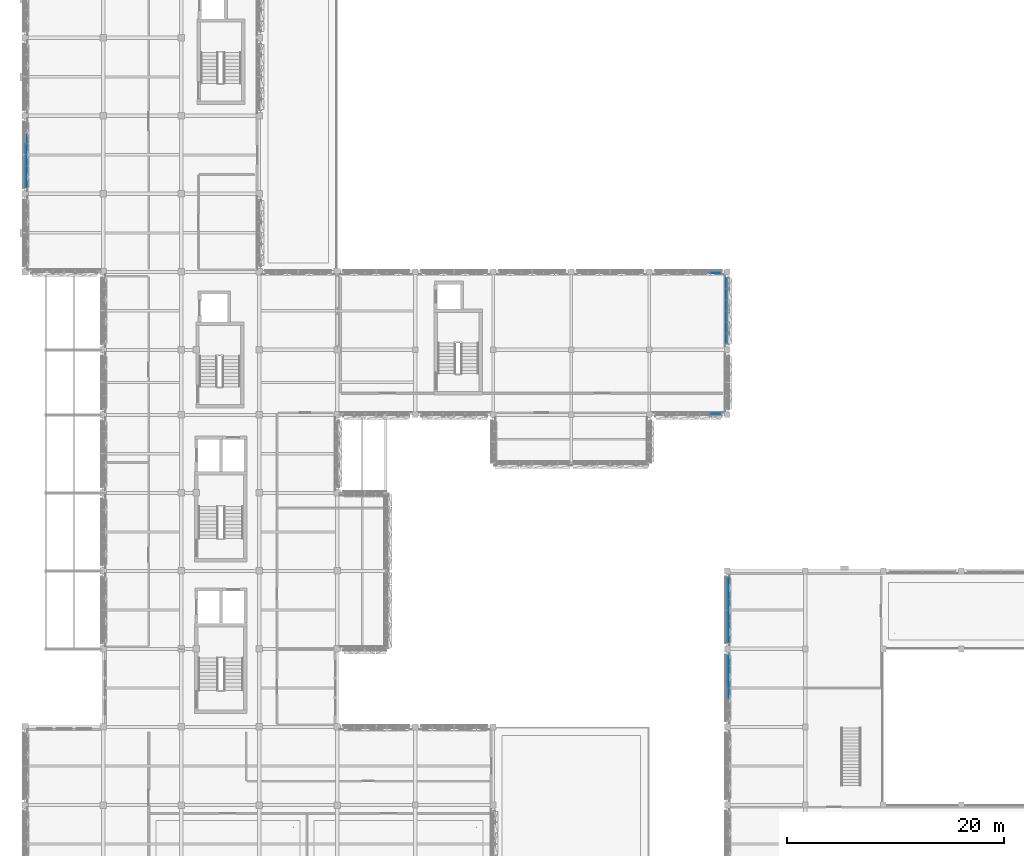
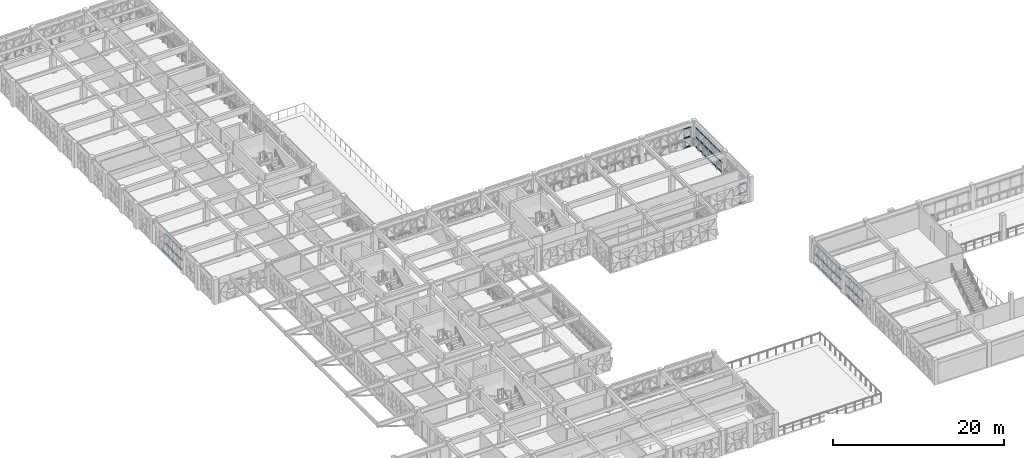
# One storey, part 27 of 99: 66 members, 6 elements without a shape of their own.
"""IFC4 building model written with IfcOpenShell, lengths in metres."""

import ifcopenshell
import ifcopenshell.guid

model = None  # the IFC model being written
_history = None  # IfcOwnerHistory: only IFC2X3 demands one
_inside = {}  # id of a spatial element -> (the spatial element, [elements in it])
_under = {}  # id of a project, library or spatial element -> (it, [spatial elements below it])
_declared = {}  # id of a project -> (the project, [libraries it declares])
_typed = {}  # id of a type object -> (the type object, [elements of that type])
_made_of = {}  # id of a material, layer set ... -> (it, [elements and type objects made of it])


def new_model(schema):
    """Start an empty IFC model of exactly this schema.

    Asked for "IFC4X3", IfcOpenShell would pick the latest addendum, in which some entities
    have other attributes; the version numbers below select the first issue.
    IFC2X3 requires an IfcOwnerHistory on every rooted entity: one is made here for all.
    """
    global model, _history
    if schema == "IFC4X3":
        model = ifcopenshell.file(schema_version=(4, 3, 0, 0))
    else:
        model = ifcopenshell.file(schema=schema)
    _inside.clear()
    _under.clear()
    _declared.clear()
    _typed.clear()
    _made_of.clear()
    _history = None
    if model.schema == "IFC2X3":
        org = make("IfcOrganization", Name="unknown")
        user = make(
            "IfcPersonAndOrganization",
            ThePerson=make("IfcPerson", FamilyName="unknown"),
            TheOrganization=org,
        )
        app = make(
            "IfcApplication",
            ApplicationDeveloper=org,
            Version="unknown",
            ApplicationFullName="unknown",
            ApplicationIdentifier="unknown",
        )
        _history = make(
            "IfcOwnerHistory",
            OwningUser=user,
            OwningApplication=app,
            ChangeAction="ADDED",
            CreationDate=0,
        )
    return model


def make(cls, **values):
    """One entity of the class cls with the attributes given. An attribute that is None is left unset."""
    return model.create_entity(
        cls, **{name: value for name, value in values.items() if value is not None}
    )


def rooted(cls, **values):
    """An entity with a GlobalId (a new one), such as an element, a storey or a relation."""
    return make(cls, GlobalId=ifcopenshell.guid.new(), OwnerHistory=_history, **values)


def si_unit(unit_type, name, prefix=None):
    """IfcSIUnit, for example si_unit("LENGTHUNIT", "METRE", prefix="MILLI")."""
    return make("IfcSIUnit", UnitType=unit_type, Prefix=prefix, Name=name)


def assignment(units):
    """IfcUnitAssignment: the units of a project."""
    return None if units is None else make("IfcUnitAssignment", Units=units)


def point(xyz):
    """IfcCartesianPoint."""
    return None if xyz is None else make("IfcCartesianPoint", Coordinates=xyz)


def direction(xyz):
    """IfcDirection."""
    return None if xyz is None else make("IfcDirection", DirectionRatios=xyz)


def frame(location, z_axis=None, x_axis=None):
    """IfcAxis2Placement3D, a coordinate frame: its origin and axes. An axis left out is left unset."""
    return make(
        "IfcAxis2Placement3D",
        Location=point(location),
        Axis=direction(z_axis),
        RefDirection=direction(x_axis),
    )


def frame_2d(location, x_axis=None):
    """IfcAxis2Placement2D, a coordinate frame in the plane: its origin and x axis."""
    return make(
        "IfcAxis2Placement2D", Location=point(location), RefDirection=direction(x_axis)
    )


def origin():
    """The frame at (0, 0, 0) with its axes left unset."""
    return frame((0.0, 0.0, 0.0))


def origin_2d():
    """The frame at (0, 0) in the plane with its x axis left unset."""
    return frame_2d((0.0, 0.0))


def place(relative_to, where):
    """IfcLocalPlacement: puts the frame where relative to a parent placement (None: the world)."""
    return make(
        "IfcLocalPlacement", PlacementRelTo=relative_to, RelativePlacement=where
    )


def context(
    kind, dimensions, precision=None, world=None, true_north=None, identifier=None
):
    """IfcGeometricRepresentationContext, for example the 3D "Model" context."""
    return make(
        "IfcGeometricRepresentationContext",
        ContextIdentifier=identifier,
        ContextType=kind,
        CoordinateSpaceDimension=dimensions,
        Precision=precision,
        WorldCoordinateSystem=world,
        TrueNorth=true_north,
    )


def subcontext(parent, identifier, kind, view, scale=None):
    """IfcGeometricRepresentationSubContext, for example "Body" below "Model"."""
    return make(
        "IfcGeometricRepresentationSubContext",
        ContextIdentifier=identifier,
        ContextType=kind,
        ParentContext=parent,
        TargetScale=scale,
        TargetView=view,
    )


def project(units=None, contexts=None):
    """IfcProject with its units and contexts."""
    return rooted(
        "IfcProject",
        Name="project",
        RepresentationContexts=contexts,
        UnitsInContext=assignment(units),
    )


def spatial(cls, under=None, at=None, **own):
    """A site, building, storey or space (cls), placed at a placement, below another one or the project."""
    s = rooted(cls, ObjectPlacement=at, **own)
    if under is not None:
        _under.setdefault(under.id(), (under, []))[1].append(s)
    return s


def profile(cls, at=None, kind="AREA", **sizes):
    """A parametric profile (cls). Its sizes go by their IFC names, for example OverallWidth=200.0."""
    return make(cls, ProfileType=kind, Position=at, **sizes)


def rectangle(**sizes):
    """IfcRectangleProfileDef."""
    return profile("IfcRectangleProfileDef", **sizes)


def extrude(swept, where, along, depth):
    """IfcExtrudedAreaSolid: the profile swept, set in the frame where, extruded along a direction by depth."""
    return make(
        "IfcExtrudedAreaSolid",
        SweptArea=swept,
        Position=where,
        ExtrudedDirection=direction(along),
        Depth=depth,
    )


def shape(context_of_items, identifier, shape_type, items):
    """IfcShapeRepresentation: the items that make up one representation, for example the "Body"."""
    return make(
        "IfcShapeRepresentation",
        ContextOfItems=context_of_items,
        RepresentationIdentifier=identifier,
        RepresentationType=shape_type,
        Items=items,
    )


def material(Name=None, Category=None):
    """IfcMaterial."""
    return make("IfcMaterial", Name=Name, Category=Category)


def material_profile(
    of_material, cross_section, Name=None, Category=None, Priority=None
):
    """IfcMaterialProfile: a cross section and its material."""
    return make(
        "IfcMaterialProfile",
        Name=Name,
        Material=of_material,
        Profile=cross_section,
        Priority=Priority,
        Category=Category,
    )


def profile_set(profiles, Name=None, composite=None):
    """IfcMaterialProfileSet."""
    return make(
        "IfcMaterialProfileSet",
        Name=Name,
        MaterialProfiles=profiles,
        CompositeProfile=composite,
    )


def made_of(thing, what):
    """Note that an element or type object is made of a material, layer set ...; save() writes the relation."""
    if what is not None:
        _made_of.setdefault(what.id(), (what, []))[1].append(thing)
    return thing


def type_object(cls, material=None, **own):
    """A type object (cls), such as IfcWallType, which elements share."""
    return made_of(rooted(cls, **own), material)


def element(
    cls,
    number,
    at=None,
    inside=None,
    cuts=None,
    type_object=None,
    material=None,
    context=None,
    identifier="Body",
    shape_type=None,
    held_by="IfcProductDefinitionShape",
    body=None,
    shapes=None,
    **own,
):
    """One element of the class cls, such as IfcWall. Its Tag is "e" and its number.

    at: its placement. inside: the storey or other place that contains it. cuts: it is an
    opening in that element (IfcRelVoidsElement). A single representation is given by context,
    identifier, shape_type and body (its items); several are given by shapes. held_by: the class
    of the entity that holds the representations. save() writes the other relations.
    """
    e = rooted(cls, Tag="e%d" % number, ObjectPlacement=at, **own)
    if body is not None:
        shapes = [shape(context, identifier, shape_type, body)]
    if shapes is not None:
        e.Representation = make(held_by, Representations=shapes)
    if inside is not None:
        _inside.setdefault(inside.id(), (inside, []))[1].append(e)
    if cuts is not None:
        rooted(
            "IfcRelVoidsElement", RelatingBuildingElement=cuts, RelatedOpeningElement=e
        )
    if type_object is not None:
        _typed.setdefault(type_object.id(), (type_object, []))[1].append(e)
    return made_of(e, material)


def aggregate(whole, parts):
    """IfcRelAggregates: a whole, such as a stair, and the parts it consists of."""
    return rooted("IfcRelAggregates", RelatingObject=whole, RelatedObjects=parts)


def save(model, path):
    """Write the relations noted so far, then the file.

    IfcRelAggregates (storeys below a building ...), IfcRelContainedInSpatialStructure (elements
    in a storey), IfcRelDefinesByType, IfcRelAssociatesMaterial and IfcRelDeclares: one each for
    every whole, place, type object, material and project.
    """
    for whole, parts in _under.values():
        aggregate(whole, parts)
    for where, things in _inside.values():
        rooted(
            "IfcRelContainedInSpatialStructure",
            RelatedElements=things,
            RelatingStructure=where,
        )
    for kind, things in _typed.values():
        rooted("IfcRelDefinesByType", RelatedObjects=things, RelatingType=kind)
    for what, things in _made_of.values():
        rooted("IfcRelAssociatesMaterial", RelatedObjects=things, RelatingMaterial=what)
    for by, libraries in _declared.values():
        rooted("IfcRelDeclares", RelatingContext=by, RelatedDefinitions=libraries)
    model.write(path)


model = new_model("IFC4")

# Units and contexts
model_context = context("Model", 3, precision=1e-05, world=origin(), true_north=direction((0.0, 1.0)))
body_context = subcontext(model_context, "Body", "Model", "MODEL_VIEW")
ifc_project = project(units=[si_unit("LENGTHUNIT", "METRE"), si_unit("AREAUNIT", "SQUARE_METRE"), si_unit("VOLUMEUNIT", "CUBIC_METRE"), si_unit("PLANEANGLEUNIT", "RADIAN"), si_unit("MASSUNIT", "GRAM", prefix="KILO")], contexts=[model_context])

# Site, building, storey
site_placement = place(None, origin())
site = spatial("IfcSite", under=ifc_project, at=site_placement, CompositionType="ELEMENT")
building_placement = place(site_placement, origin())
building = spatial("IfcBuilding", under=site, at=building_placement, Name="Alvorim Cloister Faculty of Sciences", CompositionType="ELEMENT")
storey_placement = place(building_placement, frame((0.0, 0.0, 12.14990234375)))
storey = spatial("IfcBuildingStorey", under=building, at=storey_placement, Name="L03", CompositionType="ELEMENT", Elevation=12.14990234375)

# Curtain wall, members
ifc_material_1 = material(Name="Aluminium and Low-E Glass Curtain Wall", Category="aluminium")
curtain_wall_type = type_object("IfcCurtainWallType", Name="CW-TRI-6120x2850", PredefinedType="USERDEFINED", material=ifc_material_1)
curtain_wall_1_placement = place(storey_placement, origin())
curtain_wall_1 = element("IfcCurtainWall", 1, at=curtain_wall_1_placement, inside=storey, type_object=curtain_wall_type, Name="L03 Diagonal Cassette Curtain Wall CW-0107", ObjectType="UNITISED CURTAIN WALL", PredefinedType="USERDEFINED")
ifc_material_2 = material(Name="Aluminium Alloy 6063-T6", Category="aluminium")
ifc_material_profile = material_profile(ifc_material_2, rectangle(XDim=0.06494140625, YDim=0.139892578125, at=origin_2d()), Name="ALU-TRN-65x140")
ifc_profile_set = profile_set([ifc_material_profile], Name="Aluminium Alloy 6063-T6")
member_type = type_object("IfcMemberType", Name="CW-TRN-65x140", PredefinedType="USERDEFINED", material=ifc_profile_set)
member_1_placement = place(storey_placement, frame((0.090087890625, 64.205078125, 0.070068359375), z_axis=(0.0, 1.0, 0.0), x_axis=(-1.0, 0.0, 0.0)))
member_1 = element("IfcMember", 2, at=member_1_placement, type_object=member_type, Name="CW-0107 Transom 1.1", ObjectType="TRANSOM", PredefinedType="USERDEFINED", context=body_context, shape_type="SweptSolid", body=[
    extrude(rectangle(XDim=0.06494140625, YDim=0.139892578125, at=origin_2d()), origin(), (0.0, 0.0, 1.0), 0.92236328125),
])
member_2_placement = place(storey_placement, frame((0.090087890625, 64.205078125, 1.425048828125), z_axis=(0.0, 1.0, 0.0), x_axis=(-1.0, 0.0, 0.0)))
member_2 = element("IfcMember", 3, at=member_2_placement, type_object=member_type, Name="CW-0107 Transom 1.2", ObjectType="TRANSOM", PredefinedType="USERDEFINED", context=body_context, shape_type="SweptSolid", body=[
    extrude(rectangle(XDim=0.06494140625, YDim=0.139892578125, at=origin_2d()), origin(), (0.0, 0.0, 1.0), 0.92236328125),
])
member_3_placement = place(storey_placement, frame((0.090087890625, 64.205078125, 2.780029296875), z_axis=(0.0, 1.0, 0.0), x_axis=(-1.0, 0.0, 0.0)))
member_3 = element("IfcMember", 4, at=member_3_placement, type_object=member_type, Name="CW-0107 Transom 1.3", ObjectType="TRANSOM", PredefinedType="USERDEFINED", context=body_context, shape_type="SweptSolid", body=[
    extrude(rectangle(XDim=0.06494140625, YDim=0.139892578125, at=origin_2d()), origin(), (0.0, 0.0, 1.0), 0.92236328125),
])
member_4_placement = place(storey_placement, frame((0.090087890625, 65.1923828125, 0.070068359375), z_axis=(0.0, 1.0, 0.0), x_axis=(-1.0, 0.0, 0.0)))
member_4 = element("IfcMember", 5, at=member_4_placement, type_object=member_type, Name="CW-0107 Transom 2.1", ObjectType="TRANSOM", PredefinedType="USERDEFINED", context=body_context, shape_type="SweptSolid", body=[
    extrude(rectangle(XDim=0.06494140625, YDim=0.139892578125, at=origin_2d()), origin(), (0.0, 0.0, 1.0), 0.955078125),
])
member_5_placement = place(storey_placement, frame((0.090087890625, 65.1923828125, 1.425048828125), z_axis=(0.0, 1.0, 0.0), x_axis=(-1.0, 0.0, 0.0)))
member_5 = element("IfcMember", 6, at=member_5_placement, type_object=member_type, Name="CW-0107 Transom 2.2", ObjectType="TRANSOM", PredefinedType="USERDEFINED", context=body_context, shape_type="SweptSolid", body=[
    extrude(rectangle(XDim=0.06494140625, YDim=0.139892578125, at=origin_2d()), origin(), (0.0, 0.0, 1.0), 0.955078125),
])
member_6_placement = place(storey_placement, frame((0.090087890625, 65.1923828125, 2.780029296875), z_axis=(0.0, 1.0, 0.0), x_axis=(-1.0, 0.0, 0.0)))
member_6 = element("IfcMember", 7, at=member_6_placement, type_object=member_type, Name="CW-0107 Transom 2.3", ObjectType="TRANSOM", PredefinedType="USERDEFINED", context=body_context, shape_type="SweptSolid", body=[
    extrude(rectangle(XDim=0.06494140625, YDim=0.139892578125, at=origin_2d()), origin(), (0.0, 0.0, 1.0), 0.955078125),
])
member_7_placement = place(storey_placement, frame((0.090087890625, 66.21240234375, 0.070068359375), z_axis=(0.0, 1.0, 0.0), x_axis=(-1.0, 0.0, 0.0)))
member_7 = element("IfcMember", 8, at=member_7_placement, type_object=member_type, Name="CW-0107 Transom 3.1", ObjectType="TRANSOM", PredefinedType="USERDEFINED", context=body_context, shape_type="SweptSolid", body=[
    extrude(rectangle(XDim=0.06494140625, YDim=0.139892578125, at=origin_2d()), origin(), (0.0, 0.0, 1.0), 0.955078125),
])
member_8_placement = place(storey_placement, frame((0.090087890625, 66.21240234375, 1.425048828125), z_axis=(0.0, 1.0, 0.0), x_axis=(-1.0, 0.0, 0.0)))
member_8 = element("IfcMember", 9, at=member_8_placement, type_object=member_type, Name="CW-0107 Transom 3.2", ObjectType="TRANSOM", PredefinedType="USERDEFINED", context=body_context, shape_type="SweptSolid", body=[
    extrude(rectangle(XDim=0.06494140625, YDim=0.139892578125, at=origin_2d()), origin(), (0.0, 0.0, 1.0), 0.955078125),
])
member_9_placement = place(storey_placement, frame((0.090087890625, 66.21240234375, 2.780029296875), z_axis=(0.0, 1.0, 0.0), x_axis=(-1.0, 0.0, 0.0)))
member_9 = element("IfcMember", 10, at=member_9_placement, type_object=member_type, Name="CW-0107 Transom 3.3", ObjectType="TRANSOM", PredefinedType="USERDEFINED", context=body_context, shape_type="SweptSolid", body=[
    extrude(rectangle(XDim=0.06494140625, YDim=0.139892578125, at=origin_2d()), origin(), (0.0, 0.0, 1.0), 0.955078125),
])
member_10_placement = place(storey_placement, frame((0.090087890625, 67.232421875, 0.070068359375), z_axis=(0.0, 1.0, 0.0), x_axis=(-1.0, 0.0, 0.0)))
member_10 = element("IfcMember", 11, at=member_10_placement, type_object=member_type, Name="CW-0107 Transom 4.1", ObjectType="TRANSOM", PredefinedType="USERDEFINED", context=body_context, shape_type="SweptSolid", body=[
    extrude(rectangle(XDim=0.06494140625, YDim=0.139892578125, at=origin_2d()), origin(), (0.0, 0.0, 1.0), 0.955078125),
])
member_11_placement = place(storey_placement, frame((0.090087890625, 67.232421875, 1.425048828125), z_axis=(0.0, 1.0, 0.0), x_axis=(-1.0, 0.0, 0.0)))
member_11 = element("IfcMember", 12, at=member_11_placement, type_object=member_type, Name="CW-0107 Transom 4.2", ObjectType="TRANSOM", PredefinedType="USERDEFINED", context=body_context, shape_type="SweptSolid", body=[
    extrude(rectangle(XDim=0.06494140625, YDim=0.139892578125, at=origin_2d()), origin(), (0.0, 0.0, 1.0), 0.955078125),
])
member_12_placement = place(storey_placement, frame((0.090087890625, 67.232421875, 2.780029296875), z_axis=(0.0, 1.0, 0.0), x_axis=(-1.0, 0.0, 0.0)))
member_12 = element("IfcMember", 13, at=member_12_placement, type_object=member_type, Name="CW-0107 Transom 4.3", ObjectType="TRANSOM", PredefinedType="USERDEFINED", context=body_context, shape_type="SweptSolid", body=[
    extrude(rectangle(XDim=0.06494140625, YDim=0.139892578125, at=origin_2d()), origin(), (0.0, 0.0, 1.0), 0.955078125),
])
member_13_placement = place(storey_placement, frame((0.090087890625, 68.25244140625, 0.070068359375), z_axis=(0.0, 1.0, 0.0), x_axis=(-1.0, 0.0, 0.0)))
member_13 = element("IfcMember", 14, at=member_13_placement, type_object=member_type, Name="CW-0107 Transom 5.1", ObjectType="TRANSOM", PredefinedType="USERDEFINED", context=body_context, shape_type="SweptSolid", body=[
    extrude(rectangle(XDim=0.06494140625, YDim=0.139892578125, at=origin_2d()), origin(), (0.0, 0.0, 1.0), 0.955078125),
])
aggregate(curtain_wall_1, [member_1, member_2, member_3, member_4, member_5, member_6, member_7, member_8, member_9, member_10, member_11, member_12, member_13])

curtain_wall_2_placement = place(storey_placement, origin())
curtain_wall_2 = element("IfcCurtainWall", 15, at=curtain_wall_2_placement, inside=storey, type_object=curtain_wall_type, Name="L03 Diagonal Cassette Curtain Wall CW-0129", ObjectType="UNITISED CURTAIN WALL", PredefinedType="USERDEFINED")
member_14_placement = place(storey_placement, frame((63.2724609375, 56.31005859375, 0.070068359375), z_axis=(1.0, 0.0, 0.0), x_axis=(0.0, 1.0, 0.0)))
member_14 = element("IfcMember", 16, at=member_14_placement, type_object=member_type, Name="CW-0129 Transom 6.1", ObjectType="TRANSOM", PredefinedType="USERDEFINED", context=body_context, shape_type="SweptSolid", body=[
    extrude(rectangle(XDim=0.06494140625, YDim=0.139892578125, at=origin_2d()), origin(), (0.0, 0.0, 1.0), 0.922607421875),
])
member_15_placement = place(storey_placement, frame((63.2724609375, 56.31005859375, 1.425048828125), z_axis=(1.0, 0.0, 0.0), x_axis=(0.0, 1.0, 0.0)))
member_15 = element("IfcMember", 17, at=member_15_placement, type_object=member_type, Name="CW-0129 Transom 6.2", ObjectType="TRANSOM", PredefinedType="USERDEFINED", context=body_context, shape_type="SweptSolid", body=[
    extrude(rectangle(XDim=0.06494140625, YDim=0.139892578125, at=origin_2d()), origin(), (0.0, 0.0, 1.0), 0.922607421875),
])
member_16_placement = place(storey_placement, frame((63.2724609375, 56.31005859375, 2.780029296875), z_axis=(1.0, 0.0, 0.0), x_axis=(0.0, 1.0, 0.0)))
member_16 = element("IfcMember", 18, at=member_16_placement, type_object=member_type, Name="CW-0129 Transom 6.3", ObjectType="TRANSOM", PredefinedType="USERDEFINED", context=body_context, shape_type="SweptSolid", body=[
    extrude(rectangle(XDim=0.06494140625, YDim=0.139892578125, at=origin_2d()), origin(), (0.0, 0.0, 1.0), 0.922607421875),
])
aggregate(curtain_wall_2, [member_14, member_15, member_16])

curtain_wall_3_placement = place(storey_placement, origin())
curtain_wall_3 = element("IfcCurtainWall", 19, at=curtain_wall_3_placement, inside=storey, type_object=curtain_wall_type, Name="L03 Diagonal Cassette Curtain Wall CW-0130", ObjectType="UNITISED CURTAIN WALL", PredefinedType="USERDEFINED")
member_17_placement = place(storey_placement, frame((64.7099609375, 49.804931640625, 0.070068359375), z_axis=(0.0, 1.0, 0.0), x_axis=(-1.0, 0.0, 0.0)))
member_17 = element("IfcMember", 20, at=member_17_placement, type_object=member_type, Name="CW-0130 Transom 1.1", ObjectType="TRANSOM", PredefinedType="USERDEFINED", context=body_context, shape_type="SweptSolid", body=[
    extrude(rectangle(XDim=0.06494140625, YDim=0.139892578125, at=origin_2d()), origin(), (0.0, 0.0, 1.0), 0.922607421875),
])
member_18_placement = place(storey_placement, frame((64.7099609375, 49.804931640625, 1.425048828125), z_axis=(0.0, 1.0, 0.0), x_axis=(-1.0, 0.0, 0.0)))
member_18 = element("IfcMember", 21, at=member_18_placement, type_object=member_type, Name="CW-0130 Transom 1.2", ObjectType="TRANSOM", PredefinedType="USERDEFINED", context=body_context, shape_type="SweptSolid", body=[
    extrude(rectangle(XDim=0.06494140625, YDim=0.139892578125, at=origin_2d()), origin(), (0.0, 0.0, 1.0), 0.922607421875),
])
member_19_placement = place(storey_placement, frame((64.7099609375, 49.804931640625, 2.780029296875), z_axis=(0.0, 1.0, 0.0), x_axis=(-1.0, 0.0, 0.0)))
member_19 = element("IfcMember", 22, at=member_19_placement, type_object=member_type, Name="CW-0130 Transom 1.3", ObjectType="TRANSOM", PredefinedType="USERDEFINED", context=body_context, shape_type="SweptSolid", body=[
    extrude(rectangle(XDim=0.06494140625, YDim=0.139892578125, at=origin_2d()), origin(), (0.0, 0.0, 1.0), 0.922607421875),
])
member_20_placement = place(storey_placement, frame((64.7099609375, 50.79248046875, 0.070068359375), z_axis=(0.0, 1.0, 0.0), x_axis=(-1.0, 0.0, 0.0)))
member_20 = element("IfcMember", 23, at=member_20_placement, type_object=member_type, Name="CW-0130 Transom 2.1", ObjectType="TRANSOM", PredefinedType="USERDEFINED", context=body_context, shape_type="SweptSolid", body=[
    extrude(rectangle(XDim=0.06494140625, YDim=0.139892578125, at=origin_2d()), origin(), (0.0, 0.0, 1.0), 0.955078125),
])
member_21_placement = place(storey_placement, frame((64.7099609375, 50.79248046875, 1.425048828125), z_axis=(0.0, 1.0, 0.0), x_axis=(-1.0, 0.0, 0.0)))
member_21 = element("IfcMember", 24, at=member_21_placement, type_object=member_type, Name="CW-0130 Transom 2.2", ObjectType="TRANSOM", PredefinedType="USERDEFINED", context=body_context, shape_type="SweptSolid", body=[
    extrude(rectangle(XDim=0.06494140625, YDim=0.139892578125, at=origin_2d()), origin(), (0.0, 0.0, 1.0), 0.955078125),
])
member_22_placement = place(storey_placement, frame((64.7099609375, 50.79248046875, 2.780029296875), z_axis=(0.0, 1.0, 0.0), x_axis=(-1.0, 0.0, 0.0)))
member_22 = element("IfcMember", 25, at=member_22_placement, type_object=member_type, Name="CW-0130 Transom 2.3", ObjectType="TRANSOM", PredefinedType="USERDEFINED", context=body_context, shape_type="SweptSolid", body=[
    extrude(rectangle(XDim=0.06494140625, YDim=0.139892578125, at=origin_2d()), origin(), (0.0, 0.0, 1.0), 0.955078125),
])
member_23_placement = place(storey_placement, frame((64.7099609375, 51.8125, 0.070068359375), z_axis=(0.0, 1.0, 0.0), x_axis=(-1.0, 0.0, 0.0)))
member_23 = element("IfcMember", 26, at=member_23_placement, type_object=member_type, Name="CW-0130 Transom 3.1", ObjectType="TRANSOM", PredefinedType="USERDEFINED", context=body_context, shape_type="SweptSolid", body=[
    extrude(rectangle(XDim=0.06494140625, YDim=0.139892578125, at=origin_2d()), origin(), (0.0, 0.0, 1.0), 0.955078125),
])
member_24_placement = place(storey_placement, frame((64.7099609375, 51.8125, 1.425048828125), z_axis=(0.0, 1.0, 0.0), x_axis=(-1.0, 0.0, 0.0)))
member_24 = element("IfcMember", 27, at=member_24_placement, type_object=member_type, Name="CW-0130 Transom 3.2", ObjectType="TRANSOM", PredefinedType="USERDEFINED", context=body_context, shape_type="SweptSolid", body=[
    extrude(rectangle(XDim=0.06494140625, YDim=0.139892578125, at=origin_2d()), origin(), (0.0, 0.0, 1.0), 0.955078125),
])
member_25_placement = place(storey_placement, frame((64.7099609375, 51.8125, 2.780029296875), z_axis=(0.0, 1.0, 0.0), x_axis=(-1.0, 0.0, 0.0)))
member_25 = element("IfcMember", 28, at=member_25_placement, type_object=member_type, Name="CW-0130 Transom 3.3", ObjectType="TRANSOM", PredefinedType="USERDEFINED", context=body_context, shape_type="SweptSolid", body=[
    extrude(rectangle(XDim=0.06494140625, YDim=0.139892578125, at=origin_2d()), origin(), (0.0, 0.0, 1.0), 0.955078125),
])
member_26_placement = place(storey_placement, frame((64.7099609375, 52.83251953125, 0.070068359375), z_axis=(0.0, 1.0, 0.0), x_axis=(-1.0, 0.0, 0.0)))
member_26 = element("IfcMember", 29, at=member_26_placement, type_object=member_type, Name="CW-0130 Transom 4.1", ObjectType="TRANSOM", PredefinedType="USERDEFINED", context=body_context, shape_type="SweptSolid", body=[
    extrude(rectangle(XDim=0.06494140625, YDim=0.139892578125, at=origin_2d()), origin(), (0.0, 0.0, 1.0), 0.955078125),
])
member_27_placement = place(storey_placement, frame((64.7099609375, 52.83251953125, 1.425048828125), z_axis=(0.0, 1.0, 0.0), x_axis=(-1.0, 0.0, 0.0)))
member_27 = element("IfcMember", 30, at=member_27_placement, type_object=member_type, Name="CW-0130 Transom 4.2", ObjectType="TRANSOM", PredefinedType="USERDEFINED", context=body_context, shape_type="SweptSolid", body=[
    extrude(rectangle(XDim=0.06494140625, YDim=0.139892578125, at=origin_2d()), origin(), (0.0, 0.0, 1.0), 0.955078125),
])
member_28_placement = place(storey_placement, frame((64.7099609375, 52.83251953125, 2.780029296875), z_axis=(0.0, 1.0, 0.0), x_axis=(-1.0, 0.0, 0.0)))
member_28 = element("IfcMember", 31, at=member_28_placement, type_object=member_type, Name="CW-0130 Transom 4.3", ObjectType="TRANSOM", PredefinedType="USERDEFINED", context=body_context, shape_type="SweptSolid", body=[
    extrude(rectangle(XDim=0.06494140625, YDim=0.139892578125, at=origin_2d()), origin(), (0.0, 0.0, 1.0), 0.955078125),
])
member_29_placement = place(storey_placement, frame((64.7099609375, 53.8525390625, 0.070068359375), z_axis=(0.0, 1.0, 0.0), x_axis=(-1.0, 0.0, 0.0)))
member_29 = element("IfcMember", 32, at=member_29_placement, type_object=member_type, Name="CW-0130 Transom 5.1", ObjectType="TRANSOM", PredefinedType="USERDEFINED", context=body_context, shape_type="SweptSolid", body=[
    extrude(rectangle(XDim=0.06494140625, YDim=0.139892578125, at=origin_2d()), origin(), (0.0, 0.0, 1.0), 0.955078125),
])
member_30_placement = place(storey_placement, frame((64.7099609375, 53.8525390625, 1.425048828125), z_axis=(0.0, 1.0, 0.0), x_axis=(-1.0, 0.0, 0.0)))
member_30 = element("IfcMember", 33, at=member_30_placement, type_object=member_type, Name="CW-0130 Transom 5.2", ObjectType="TRANSOM", PredefinedType="USERDEFINED", context=body_context, shape_type="SweptSolid", body=[
    extrude(rectangle(XDim=0.06494140625, YDim=0.139892578125, at=origin_2d()), origin(), (0.0, 0.0, 1.0), 0.955078125),
])
member_31_placement = place(storey_placement, frame((64.7099609375, 53.8525390625, 2.780029296875), z_axis=(0.0, 1.0, 0.0), x_axis=(-1.0, 0.0, 0.0)))
member_31 = element("IfcMember", 34, at=member_31_placement, type_object=member_type, Name="CW-0130 Transom 5.3", ObjectType="TRANSOM", PredefinedType="USERDEFINED", context=body_context, shape_type="SweptSolid", body=[
    extrude(rectangle(XDim=0.06494140625, YDim=0.139892578125, at=origin_2d()), origin(), (0.0, 0.0, 1.0), 0.955078125),
])
member_32_placement = place(storey_placement, frame((64.7099609375, 54.87255859375, 0.070068359375), z_axis=(0.0, 1.0, 0.0), x_axis=(-1.0, 0.0, 0.0)))
member_32 = element("IfcMember", 35, at=member_32_placement, type_object=member_type, Name="CW-0130 Transom 6.1", ObjectType="TRANSOM", PredefinedType="USERDEFINED", context=body_context, shape_type="SweptSolid", body=[
    extrude(rectangle(XDim=0.06494140625, YDim=0.139892578125, at=origin_2d()), origin(), (0.0, 0.0, 1.0), 0.92236328125),
])
member_33_placement = place(storey_placement, frame((64.7099609375, 54.87255859375, 1.425048828125), z_axis=(0.0, 1.0, 0.0), x_axis=(-1.0, 0.0, 0.0)))
member_33 = element("IfcMember", 36, at=member_33_placement, type_object=member_type, Name="CW-0130 Transom 6.2", ObjectType="TRANSOM", PredefinedType="USERDEFINED", context=body_context, shape_type="SweptSolid", body=[
    extrude(rectangle(XDim=0.06494140625, YDim=0.139892578125, at=origin_2d()), origin(), (0.0, 0.0, 1.0), 0.92236328125),
])
member_34_placement = place(storey_placement, frame((64.7099609375, 54.87255859375, 2.780029296875), z_axis=(0.0, 1.0, 0.0), x_axis=(-1.0, 0.0, 0.0)))
member_34 = element("IfcMember", 37, at=member_34_placement, type_object=member_type, Name="CW-0130 Transom 6.3", ObjectType="TRANSOM", PredefinedType="USERDEFINED", context=body_context, shape_type="SweptSolid", body=[
    extrude(rectangle(XDim=0.06494140625, YDim=0.139892578125, at=origin_2d()), origin(), (0.0, 0.0, 1.0), 0.92236328125),
])
aggregate(curtain_wall_3, [member_17, member_18, member_19, member_20, member_21, member_22, member_23, member_24, member_25, member_26, member_27, member_28, member_29, member_30, member_31, member_32, member_33, member_34])

curtain_wall_4_placement = place(storey_placement, origin())
curtain_wall_4 = element("IfcCurtainWall", 38, at=curtain_wall_4_placement, inside=storey, type_object=curtain_wall_type, Name="L03 Diagonal Cassette Curtain Wall CW-0132", ObjectType="UNITISED CURTAIN WALL", PredefinedType="USERDEFINED")
member_35_placement = place(storey_placement, frame((63.2724609375, 43.2900390625, 0.070068359375), z_axis=(1.0, 0.0, 0.0), x_axis=(0.0, 1.0, 0.0)))
member_35 = element("IfcMember", 39, at=member_35_placement, type_object=member_type, Name="CW-0132 Transom 6.1", ObjectType="TRANSOM", PredefinedType="USERDEFINED", context=body_context, shape_type="SweptSolid", body=[
    extrude(rectangle(XDim=0.06494140625, YDim=0.139892578125, at=origin_2d()), origin(), (0.0, 0.0, 1.0), 0.922607421875),
])
member_36_placement = place(storey_placement, frame((63.2724609375, 43.2900390625, 1.425048828125), z_axis=(1.0, 0.0, 0.0), x_axis=(0.0, 1.0, 0.0)))
member_36 = element("IfcMember", 40, at=member_36_placement, type_object=member_type, Name="CW-0132 Transom 6.2", ObjectType="TRANSOM", PredefinedType="USERDEFINED", context=body_context, shape_type="SweptSolid", body=[
    extrude(rectangle(XDim=0.06494140625, YDim=0.139892578125, at=origin_2d()), origin(), (0.0, 0.0, 1.0), 0.922607421875),
])
member_37_placement = place(storey_placement, frame((63.2724609375, 43.2900390625, 2.780029296875), z_axis=(1.0, 0.0, 0.0), x_axis=(0.0, 1.0, 0.0)))
member_37 = element("IfcMember", 41, at=member_37_placement, type_object=member_type, Name="CW-0132 Transom 6.3", ObjectType="TRANSOM", PredefinedType="USERDEFINED", context=body_context, shape_type="SweptSolid", body=[
    extrude(rectangle(XDim=0.06494140625, YDim=0.139892578125, at=origin_2d()), origin(), (0.0, 0.0, 1.0), 0.922607421875),
])
aggregate(curtain_wall_4, [member_35, member_36, member_37])

curtain_wall_5_placement = place(storey_placement, origin())
curtain_wall_5 = element("IfcCurtainWall", 42, at=curtain_wall_5_placement, inside=storey, type_object=curtain_wall_type, Name="L03 Diagonal Cassette Curtain Wall CW-0160", ObjectType="UNITISED CURTAIN WALL", PredefinedType="USERDEFINED")
member_38_placement = place(storey_placement, frame((64.889892578125, 17.012451171875, 1.425048828125), z_axis=(0.0, 1.0, 0.0), x_axis=(-1.0, 0.0, 0.0)))
member_38 = element("IfcMember", 43, at=member_38_placement, type_object=member_type, Name="CW-0160 Transom 3.2", ObjectType="TRANSOM", PredefinedType="USERDEFINED", context=body_context, shape_type="SweptSolid", body=[
    extrude(rectangle(XDim=0.06494140625, YDim=0.139892578125, at=origin_2d()), origin(), (0.0, 0.0, 1.0), 0.955078125),
])
member_39_placement = place(storey_placement, frame((64.889892578125, 17.012451171875, 2.780029296875), z_axis=(0.0, 1.0, 0.0), x_axis=(-1.0, 0.0, 0.0)))
member_39 = element("IfcMember", 44, at=member_39_placement, type_object=member_type, Name="CW-0160 Transom 3.3", ObjectType="TRANSOM", PredefinedType="USERDEFINED", context=body_context, shape_type="SweptSolid", body=[
    extrude(rectangle(XDim=0.06494140625, YDim=0.139892578125, at=origin_2d()), origin(), (0.0, 0.0, 1.0), 0.955078125),
])
member_40_placement = place(storey_placement, frame((64.889892578125, 18.032470703125, 0.070068359375), z_axis=(0.0, 1.0, 0.0), x_axis=(-1.0, 0.0, 0.0)))
member_40 = element("IfcMember", 45, at=member_40_placement, type_object=member_type, Name="CW-0160 Transom 4.1", ObjectType="TRANSOM", PredefinedType="USERDEFINED", context=body_context, shape_type="SweptSolid", body=[
    extrude(rectangle(XDim=0.06494140625, YDim=0.139892578125, at=origin_2d()), origin(), (0.0, 0.0, 1.0), 0.955078125),
])
member_41_placement = place(storey_placement, frame((64.889892578125, 18.032470703125, 1.425048828125), z_axis=(0.0, 1.0, 0.0), x_axis=(-1.0, 0.0, 0.0)))
member_41 = element("IfcMember", 46, at=member_41_placement, type_object=member_type, Name="CW-0160 Transom 4.2", ObjectType="TRANSOM", PredefinedType="USERDEFINED", context=body_context, shape_type="SweptSolid", body=[
    extrude(rectangle(XDim=0.06494140625, YDim=0.139892578125, at=origin_2d()), origin(), (0.0, 0.0, 1.0), 0.955078125),
])
member_42_placement = place(storey_placement, frame((64.889892578125, 18.032470703125, 2.780029296875), z_axis=(0.0, 1.0, 0.0), x_axis=(-1.0, 0.0, 0.0)))
member_42 = element("IfcMember", 47, at=member_42_placement, type_object=member_type, Name="CW-0160 Transom 4.3", ObjectType="TRANSOM", PredefinedType="USERDEFINED", context=body_context, shape_type="SweptSolid", body=[
    extrude(rectangle(XDim=0.06494140625, YDim=0.139892578125, at=origin_2d()), origin(), (0.0, 0.0, 1.0), 0.955078125),
])
member_43_placement = place(storey_placement, frame((64.889892578125, 19.052490234375, 0.070068359375), z_axis=(0.0, 1.0, 0.0), x_axis=(-1.0, 0.0, 0.0)))
member_43 = element("IfcMember", 48, at=member_43_placement, type_object=member_type, Name="CW-0160 Transom 5.1", ObjectType="TRANSOM", PredefinedType="USERDEFINED", context=body_context, shape_type="SweptSolid", body=[
    extrude(rectangle(XDim=0.06494140625, YDim=0.139892578125, at=origin_2d()), origin(), (0.0, 0.0, 1.0), 0.955078125),
])
member_44_placement = place(storey_placement, frame((64.889892578125, 19.052490234375, 1.425048828125), z_axis=(0.0, 1.0, 0.0), x_axis=(-1.0, 0.0, 0.0)))
member_44 = element("IfcMember", 49, at=member_44_placement, type_object=member_type, Name="CW-0160 Transom 5.2", ObjectType="TRANSOM", PredefinedType="USERDEFINED", context=body_context, shape_type="SweptSolid", body=[
    extrude(rectangle(XDim=0.06494140625, YDim=0.139892578125, at=origin_2d()), origin(), (0.0, 0.0, 1.0), 0.955078125),
])
member_45_placement = place(storey_placement, frame((64.889892578125, 19.052490234375, 2.780029296875), z_axis=(0.0, 1.0, 0.0), x_axis=(-1.0, 0.0, 0.0)))
member_45 = element("IfcMember", 50, at=member_45_placement, type_object=member_type, Name="CW-0160 Transom 5.3", ObjectType="TRANSOM", PredefinedType="USERDEFINED", context=body_context, shape_type="SweptSolid", body=[
    extrude(rectangle(XDim=0.06494140625, YDim=0.139892578125, at=origin_2d()), origin(), (0.0, 0.0, 1.0), 0.955078125),
])
member_46_placement = place(storey_placement, frame((64.889892578125, 20.072509765625, 0.070068359375), z_axis=(0.0, 1.0, 0.0), x_axis=(-1.0, 0.0, 0.0)))
member_46 = element("IfcMember", 51, at=member_46_placement, type_object=member_type, Name="CW-0160 Transom 6.1", ObjectType="TRANSOM", PredefinedType="USERDEFINED", context=body_context, shape_type="SweptSolid", body=[
    extrude(rectangle(XDim=0.06494140625, YDim=0.139892578125, at=origin_2d()), origin(), (0.0, 0.0, 1.0), 0.922607421875),
])
member_47_placement = place(storey_placement, frame((64.889892578125, 20.072509765625, 1.425048828125), z_axis=(0.0, 1.0, 0.0), x_axis=(-1.0, 0.0, 0.0)))
member_47 = element("IfcMember", 52, at=member_47_placement, type_object=member_type, Name="CW-0160 Transom 6.2", ObjectType="TRANSOM", PredefinedType="USERDEFINED", context=body_context, shape_type="SweptSolid", body=[
    extrude(rectangle(XDim=0.06494140625, YDim=0.139892578125, at=origin_2d()), origin(), (0.0, 0.0, 1.0), 0.922607421875),
])
member_48_placement = place(storey_placement, frame((64.889892578125, 20.072509765625, 2.780029296875), z_axis=(0.0, 1.0, 0.0), x_axis=(-1.0, 0.0, 0.0)))
member_48 = element("IfcMember", 53, at=member_48_placement, type_object=member_type, Name="CW-0160 Transom 6.3", ObjectType="TRANSOM", PredefinedType="USERDEFINED", context=body_context, shape_type="SweptSolid", body=[
    extrude(rectangle(XDim=0.06494140625, YDim=0.139892578125, at=origin_2d()), origin(), (0.0, 0.0, 1.0), 0.922607421875),
])
aggregate(curtain_wall_5, [member_38, member_39, member_40, member_41, member_42, member_43, member_44, member_45, member_46, member_47, member_48])

curtain_wall_6_placement = place(storey_placement, origin())
curtain_wall_6 = element("IfcCurtainWall", 54, at=curtain_wall_6_placement, inside=storey, type_object=curtain_wall_type, Name="L03 Diagonal Cassette Curtain Wall CW-0161", ObjectType="UNITISED CURTAIN WALL", PredefinedType="USERDEFINED")
member_49_placement = place(storey_placement, frame((64.889892578125, 22.205078125, 0.070068359375), z_axis=(0.0, 1.0, 0.0), x_axis=(-1.0, 0.0, 0.0)))
member_49 = element("IfcMember", 55, at=member_49_placement, type_object=member_type, Name="CW-0161 Transom 1.1", ObjectType="TRANSOM", PredefinedType="USERDEFINED", context=body_context, shape_type="SweptSolid", body=[
    extrude(rectangle(XDim=0.06494140625, YDim=0.139892578125, at=origin_2d()), origin(), (0.0, 0.0, 1.0), 0.92236328125),
])
member_50_placement = place(storey_placement, frame((64.889892578125, 22.205078125, 1.425048828125), z_axis=(0.0, 1.0, 0.0), x_axis=(-1.0, 0.0, 0.0)))
member_50 = element("IfcMember", 56, at=member_50_placement, type_object=member_type, Name="CW-0161 Transom 1.2", ObjectType="TRANSOM", PredefinedType="USERDEFINED", context=body_context, shape_type="SweptSolid", body=[
    extrude(rectangle(XDim=0.06494140625, YDim=0.139892578125, at=origin_2d()), origin(), (0.0, 0.0, 1.0), 0.92236328125),
])
member_51_placement = place(storey_placement, frame((64.889892578125, 22.205078125, 2.780029296875), z_axis=(0.0, 1.0, 0.0), x_axis=(-1.0, 0.0, 0.0)))
member_51 = element("IfcMember", 57, at=member_51_placement, type_object=member_type, Name="CW-0161 Transom 1.3", ObjectType="TRANSOM", PredefinedType="USERDEFINED", context=body_context, shape_type="SweptSolid", body=[
    extrude(rectangle(XDim=0.06494140625, YDim=0.139892578125, at=origin_2d()), origin(), (0.0, 0.0, 1.0), 0.92236328125),
])
member_52_placement = place(storey_placement, frame((64.889892578125, 23.1923828125, 0.070068359375), z_axis=(0.0, 1.0, 0.0), x_axis=(-1.0, 0.0, 0.0)))
member_52 = element("IfcMember", 58, at=member_52_placement, type_object=member_type, Name="CW-0161 Transom 2.1", ObjectType="TRANSOM", PredefinedType="USERDEFINED", context=body_context, shape_type="SweptSolid", body=[
    extrude(rectangle(XDim=0.06494140625, YDim=0.139892578125, at=origin_2d()), origin(), (0.0, 0.0, 1.0), 0.955078125),
])
member_53_placement = place(storey_placement, frame((64.889892578125, 23.1923828125, 1.425048828125), z_axis=(0.0, 1.0, 0.0), x_axis=(-1.0, 0.0, 0.0)))
member_53 = element("IfcMember", 59, at=member_53_placement, type_object=member_type, Name="CW-0161 Transom 2.2", ObjectType="TRANSOM", PredefinedType="USERDEFINED", context=body_context, shape_type="SweptSolid", body=[
    extrude(rectangle(XDim=0.06494140625, YDim=0.139892578125, at=origin_2d()), origin(), (0.0, 0.0, 1.0), 0.955078125),
])
member_54_placement = place(storey_placement, frame((64.889892578125, 23.1923828125, 2.780029296875), z_axis=(0.0, 1.0, 0.0), x_axis=(-1.0, 0.0, 0.0)))
member_54 = element("IfcMember", 60, at=member_54_placement, type_object=member_type, Name="CW-0161 Transom 2.3", ObjectType="TRANSOM", PredefinedType="USERDEFINED", context=body_context, shape_type="SweptSolid", body=[
    extrude(rectangle(XDim=0.06494140625, YDim=0.139892578125, at=origin_2d()), origin(), (0.0, 0.0, 1.0), 0.955078125),
])
member_55_placement = place(storey_placement, frame((64.889892578125, 24.21240234375, 0.070068359375), z_axis=(0.0, 1.0, 0.0), x_axis=(-1.0, 0.0, 0.0)))
member_55 = element("IfcMember", 61, at=member_55_placement, type_object=member_type, Name="CW-0161 Transom 3.1", ObjectType="TRANSOM", PredefinedType="USERDEFINED", context=body_context, shape_type="SweptSolid", body=[
    extrude(rectangle(XDim=0.06494140625, YDim=0.139892578125, at=origin_2d()), origin(), (0.0, 0.0, 1.0), 0.955078125),
])
member_56_placement = place(storey_placement, frame((64.889892578125, 24.21240234375, 1.425048828125), z_axis=(0.0, 1.0, 0.0), x_axis=(-1.0, 0.0, 0.0)))
member_56 = element("IfcMember", 62, at=member_56_placement, type_object=member_type, Name="CW-0161 Transom 3.2", ObjectType="TRANSOM", PredefinedType="USERDEFINED", context=body_context, shape_type="SweptSolid", body=[
    extrude(rectangle(XDim=0.06494140625, YDim=0.139892578125, at=origin_2d()), origin(), (0.0, 0.0, 1.0), 0.955078125),
])
member_57_placement = place(storey_placement, frame((64.889892578125, 24.21240234375, 2.780029296875), z_axis=(0.0, 1.0, 0.0), x_axis=(-1.0, 0.0, 0.0)))
member_57 = element("IfcMember", 63, at=member_57_placement, type_object=member_type, Name="CW-0161 Transom 3.3", ObjectType="TRANSOM", PredefinedType="USERDEFINED", context=body_context, shape_type="SweptSolid", body=[
    extrude(rectangle(XDim=0.06494140625, YDim=0.139892578125, at=origin_2d()), origin(), (0.0, 0.0, 1.0), 0.955078125),
])
member_58_placement = place(storey_placement, frame((64.889892578125, 25.232421875, 0.070068359375), z_axis=(0.0, 1.0, 0.0), x_axis=(-1.0, 0.0, 0.0)))
member_58 = element("IfcMember", 64, at=member_58_placement, type_object=member_type, Name="CW-0161 Transom 4.1", ObjectType="TRANSOM", PredefinedType="USERDEFINED", context=body_context, shape_type="SweptSolid", body=[
    extrude(rectangle(XDim=0.06494140625, YDim=0.139892578125, at=origin_2d()), origin(), (0.0, 0.0, 1.0), 0.955078125),
])
member_59_placement = place(storey_placement, frame((64.889892578125, 25.232421875, 1.425048828125), z_axis=(0.0, 1.0, 0.0), x_axis=(-1.0, 0.0, 0.0)))
member_59 = element("IfcMember", 65, at=member_59_placement, type_object=member_type, Name="CW-0161 Transom 4.2", ObjectType="TRANSOM", PredefinedType="USERDEFINED", context=body_context, shape_type="SweptSolid", body=[
    extrude(rectangle(XDim=0.06494140625, YDim=0.139892578125, at=origin_2d()), origin(), (0.0, 0.0, 1.0), 0.955078125),
])
member_60_placement = place(storey_placement, frame((64.889892578125, 25.232421875, 2.780029296875), z_axis=(0.0, 1.0, 0.0), x_axis=(-1.0, 0.0, 0.0)))
member_60 = element("IfcMember", 66, at=member_60_placement, type_object=member_type, Name="CW-0161 Transom 4.3", ObjectType="TRANSOM", PredefinedType="USERDEFINED", context=body_context, shape_type="SweptSolid", body=[
    extrude(rectangle(XDim=0.06494140625, YDim=0.139892578125, at=origin_2d()), origin(), (0.0, 0.0, 1.0), 0.955078125),
])
member_61_placement = place(storey_placement, frame((64.889892578125, 26.25244140625, 0.070068359375), z_axis=(0.0, 1.0, 0.0), x_axis=(-1.0, 0.0, 0.0)))
member_61 = element("IfcMember", 67, at=member_61_placement, type_object=member_type, Name="CW-0161 Transom 5.1", ObjectType="TRANSOM", PredefinedType="USERDEFINED", context=body_context, shape_type="SweptSolid", body=[
    extrude(rectangle(XDim=0.06494140625, YDim=0.139892578125, at=origin_2d()), origin(), (0.0, 0.0, 1.0), 0.955078125),
])
member_62_placement = place(storey_placement, frame((64.889892578125, 26.25244140625, 1.425048828125), z_axis=(0.0, 1.0, 0.0), x_axis=(-1.0, 0.0, 0.0)))
member_62 = element("IfcMember", 68, at=member_62_placement, type_object=member_type, Name="CW-0161 Transom 5.2", ObjectType="TRANSOM", PredefinedType="USERDEFINED", context=body_context, shape_type="SweptSolid", body=[
    extrude(rectangle(XDim=0.06494140625, YDim=0.139892578125, at=origin_2d()), origin(), (0.0, 0.0, 1.0), 0.955078125),
])
member_63_placement = place(storey_placement, frame((64.889892578125, 26.25244140625, 2.780029296875), z_axis=(0.0, 1.0, 0.0), x_axis=(-1.0, 0.0, 0.0)))
member_63 = element("IfcMember", 69, at=member_63_placement, type_object=member_type, Name="CW-0161 Transom 5.3", ObjectType="TRANSOM", PredefinedType="USERDEFINED", context=body_context, shape_type="SweptSolid", body=[
    extrude(rectangle(XDim=0.06494140625, YDim=0.139892578125, at=origin_2d()), origin(), (0.0, 0.0, 1.0), 0.955078125),
])
member_64_placement = place(storey_placement, frame((64.889892578125, 27.2724609375, 0.070068359375), z_axis=(0.0, 1.0, 0.0), x_axis=(-1.0, 0.0, 0.0)))
member_64 = element("IfcMember", 70, at=member_64_placement, type_object=member_type, Name="CW-0161 Transom 6.1", ObjectType="TRANSOM", PredefinedType="USERDEFINED", context=body_context, shape_type="SweptSolid", body=[
    extrude(rectangle(XDim=0.06494140625, YDim=0.139892578125, at=origin_2d()), origin(), (0.0, 0.0, 1.0), 0.922607421875),
])
member_65_placement = place(storey_placement, frame((64.889892578125, 27.2724609375, 1.425048828125), z_axis=(0.0, 1.0, 0.0), x_axis=(-1.0, 0.0, 0.0)))
member_65 = element("IfcMember", 71, at=member_65_placement, type_object=member_type, Name="CW-0161 Transom 6.2", ObjectType="TRANSOM", PredefinedType="USERDEFINED", context=body_context, shape_type="SweptSolid", body=[
    extrude(rectangle(XDim=0.06494140625, YDim=0.139892578125, at=origin_2d()), origin(), (0.0, 0.0, 1.0), 0.922607421875),
])
member_66_placement = place(storey_placement, frame((64.889892578125, 27.2724609375, 2.780029296875), z_axis=(0.0, 1.0, 0.0), x_axis=(-1.0, 0.0, 0.0)))
member_66 = element("IfcMember", 72, at=member_66_placement, type_object=member_type, Name="CW-0161 Transom 6.3", ObjectType="TRANSOM", PredefinedType="USERDEFINED", context=body_context, shape_type="SweptSolid", body=[
    extrude(rectangle(XDim=0.06494140625, YDim=0.139892578125, at=origin_2d()), origin(), (0.0, 0.0, 1.0), 0.922607421875),
])
aggregate(curtain_wall_6, [member_49, member_50, member_51, member_52, member_53, member_54, member_55, member_56, member_57, member_58, member_59, member_60, member_61, member_62, member_63, member_64, member_65, member_66])

save(model, "model.ifc")
